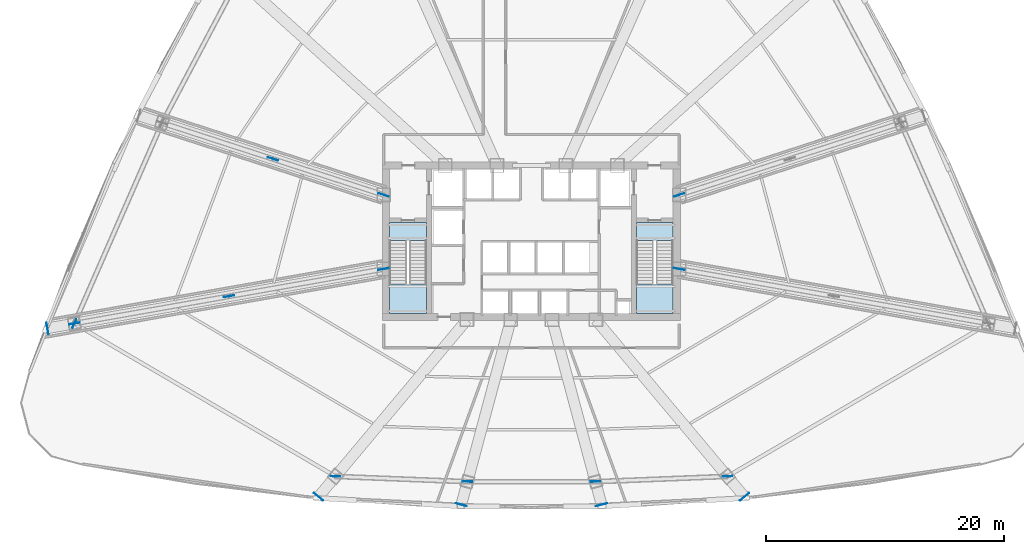
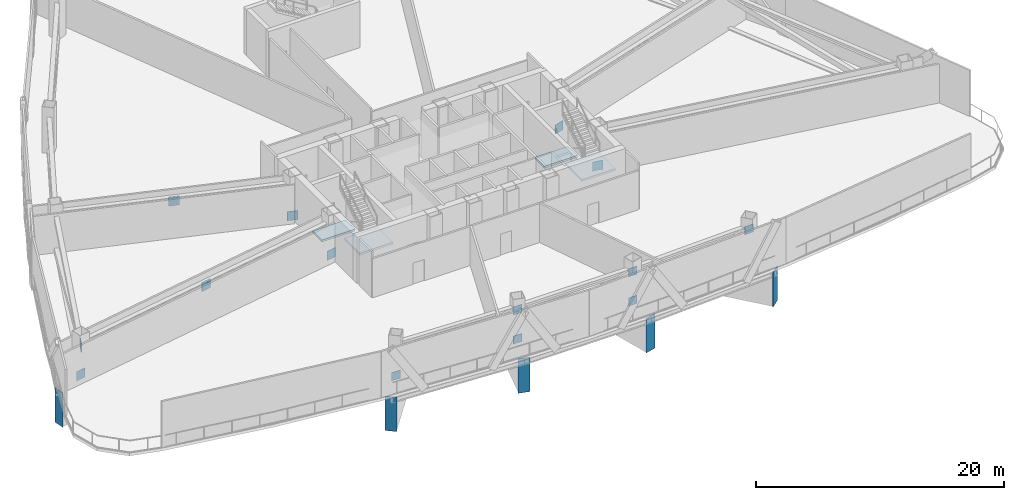
# One storey, part 4 of 17: 19 plates, 4 slabs, 2 elements without a shape of their own.
"""IFC4 building model written with IfcOpenShell, lengths in metres."""

from ifc_helpers import new_model, si_unit, direction, frame, origin, origin_2d, place, context, subcontext, project, spatial, polyline, rectangle, outline, extrude, source, transform, mapped, material, layer, layer_set, type_object, element, aggregate, save


model = new_model("IFC4")

# Units and contexts
model_context = context("Model", 3, precision=1e-05, world=origin(), true_north=direction((0.0, 1.0)))
body_context = subcontext(model_context, "Body", "Model", "MODEL_VIEW")
ifc_project = project(units=[si_unit("LENGTHUNIT", "METRE"), si_unit("AREAUNIT", "SQUARE_METRE"), si_unit("VOLUMEUNIT", "CUBIC_METRE"), si_unit("PLANEANGLEUNIT", "RADIAN"), si_unit("MASSUNIT", "GRAM", prefix="KILO"), si_unit("THERMODYNAMICTEMPERATUREUNIT", "KELVIN"), si_unit("POWERUNIT", "WATT")], contexts=[model_context])

# Site, building, storey
site_placement = place(None, origin())
site = spatial("IfcSite", under=ifc_project, at=site_placement, CompositionType="ELEMENT")
building_placement = place(site_placement, origin())
building = spatial("IfcBuilding", under=site, at=building_placement, Name="Yunzhuo Pagoda Commons", CompositionType="ELEMENT")
storey_placement = place(building_placement, frame((0.0, 0.0, 76.3798828125)))
storey = spatial("IfcBuildingStorey", under=building, at=storey_placement, Name="L19", CompositionType="ELEMENT", Elevation=76.3798828125)

# Stair, slabs
ifc_material_1 = material(Name="Concrete C40", Category="concrete")
stair_type_1 = type_object("IfcStairType", Name="ST-C1 Core Smokeproof Stair ST1", PredefinedType="HALF_TURN_STAIR", material=ifc_material_1)
stair_1_placement = place(storey_placement, origin())
stair_1 = element("IfcStair", 1, at=stair_1_placement, inside=storey, type_object=stair_type_1, Name="L19 Core smokeproof stair ST1", PredefinedType="HALF_TURN_STAIR")
ifc_layer_1 = layer(ifc_material_1, 0.199951171875)
ifc_layer_set_1 = layer_set([ifc_layer_1], Name="Concrete C40")
slab_type_1 = type_object("IfcSlabType", Name="SL-LND1 Stair Landing Slab 200", PredefinedType="LANDING", material=ifc_layer_set_1)
slab_1_placement = place(storey_placement, frame((0.0, 0.0, 2.2001953125)))
slab_1 = element("IfcSlab", 2, at=slab_1_placement, type_object=slab_type_1, Name="ST1 landing 1", PredefinedType="LANDING", context=body_context, shape_type="SweptSolid", body=[
    extrude(outline(polyline([(36.10009765625, 30.260009765625), (36.10009765625, 27.800048828125), (39.199951171875, 27.800048828125), (39.199951171875, 30.260009765625), (36.10009765625, 30.260009765625)])), origin(), (0.0, 0.0, 1.0), 0.199951171875),
])
slab_2_placement = place(storey_placement, frame((0.0, 0.0, -0.199951171875)))
slab_2 = element("IfcSlab", 3, at=slab_2_placement, type_object=slab_type_1, Name="ST1 floor landing L19", PredefinedType="LANDING", context=body_context, shape_type="SweptSolid", body=[
    extrude(outline(polyline([(36.10009765625, 35.39990234375), (36.10009765625, 33.89990234375), (39.199951171875, 33.89990234375), (39.199951171875, 35.39990234375), (36.10009765625, 35.39990234375)])), origin(), (0.0, 0.0, 1.0), 0.199951171875),
])
aggregate(stair_1, [slab_1, slab_2])

stair_type_2 = type_object("IfcStairType", Name="ST-C2 Core Smokeproof Stair ST2", PredefinedType="HALF_TURN_STAIR", material=ifc_material_1)
stair_2_placement = place(storey_placement, origin())
stair_2 = element("IfcStair", 4, at=stair_2_placement, inside=storey, type_object=stair_type_2, Name="L19 Core smokeproof stair ST2", PredefinedType="HALF_TURN_STAIR")
ifc_layer_2 = layer(ifc_material_1, 0.201904296875)
ifc_layer_set_2 = layer_set([ifc_layer_2], Name="Concrete C40")
slab_type_2 = type_object("IfcSlabType", Name="SL-LND2 Stair Landing Slab 202", PredefinedType="LANDING", material=ifc_layer_set_2)
slab_3_placement = place(storey_placement, frame((0.0, 0.0, 2.2001953125)))
slab_3 = element("IfcSlab", 5, at=slab_3_placement, type_object=slab_type_2, Name="ST2 landing 1", PredefinedType="LANDING", context=body_context, shape_type="SweptSolid", body=[
    extrude(outline(polyline([(56.800048828125, 30.260009765625), (56.800048828125, 27.800048828125), (59.89990234375, 27.800048828125), (59.89990234375, 30.260009765625), (56.800048828125, 30.260009765625)])), origin(), (0.0, 0.0, 1.0), 0.199951171875),
])
slab_4_placement = place(storey_placement, frame((0.0, 0.0, -0.199951171875)))
slab_4 = element("IfcSlab", 6, at=slab_4_placement, type_object=slab_type_2, Name="ST2 floor landing L19", PredefinedType="LANDING", context=body_context, shape_type="SweptSolid", body=[
    extrude(outline(polyline([(56.800048828125, 35.39990234375), (56.800048828125, 33.89990234375), (59.89990234375, 33.89990234375), (59.89990234375, 35.39990234375), (56.800048828125, 35.39990234375)])), origin(), (0.0, 0.0, 1.0), 0.199951171875),
])
aggregate(stair_2, [slab_3, slab_4])

# Plates
ifc_material_2 = material(Name="Structural steel Q420B", Category="steel")
ifc_layer_3 = layer(ifc_material_2, 0.0400390625)
ifc_layer_set_3 = layer_set([ifc_layer_3], Name="Structural steel Q420B")
plate_type_1 = type_object("IfcPlateType", Name="EP-TR2 Transfer Girder End Cap Plate 980x3540x40", PredefinedType="USERDEFINED", material=ifc_layer_set_3)
shared_shape_1 = source(origin(), body_context, "Body", "SweptSolid", [
    extrude(rectangle(XDim=0.97998046875, YDim=0.0400390625, at=origin_2d()), origin(), (0.0, 0.0, 1.0), 3.389892578125),
])
for number, where, z_axis, x_axis, name in (
    (7, (30.1259765625, 12.3984375, -3.64990234375), (0.0, 0.0, 1.0), (0.766044443119, -0.642787609687, 0.0), "L19 transfer girder end cap plate F1C1"),
    (8, (42.114013671875, 11.7333984375, -3.64990234375), (0.0, 0.0, 1.0), (0.965925826289, -0.258819045103, 0.0), "L19 transfer girder end cap plate F1C2"),
    (9, (53.885986328125, 11.7333984375, -3.64990234375), (0.0, 0.0, 1.0), (0.965925826289, 0.258819045103, 0.0), "L19 transfer girder end cap plate F1C3"),
    (10, (65.8740234375, 12.3984375, -3.64990234375), (0.0, 0.0, 1.0), (0.766044443119, 0.642787609687, 0.0), "L19 transfer girder end cap plate F1C4"),
    (11, (7.39208984375, 26.539794921875, -3.64990234375), (0.0, 0.0, 1.0), (0.173648177667, -0.984807753012, 0.0), "L19 transfer girder end cap plate F3C4"),
):
    element("IfcPlate", number, at=place(storey_placement, frame(where, z_axis=z_axis, x_axis=x_axis)), inside=storey, type_object=plate_type_1, Name=name, ObjectType="END_PLATE", PredefinedType="USERDEFINED", context=body_context, shape_type="MappedRepresentation", body=[
        mapped(shared_shape_1, transform((0.0, 0.0, 0.0), scale=1.0)),
    ])
ifc_layer_4 = layer(ifc_material_2, 0.0400390625)
ifc_layer_set_4 = layer_set([ifc_layer_4], Name="Structural steel Q420B")
plate_type_2 = type_object("IfcPlateType", Name="GP-OT1 Outrigger Gusset Plate 900x500x900", PredefinedType="USERDEFINED", material=ifc_layer_set_4)
shared_shape_2 = source(origin(), body_context, "Body", "SweptSolid", [
    extrude(rectangle(XDim=0.89990234375, YDim=0.0400390625, at=origin_2d()), origin(), (0.0, 0.0, 1.0), 0.89990234375),
])
for number, where, z_axis, x_axis, name in (
    (12, (60.39990234375, 31.513427734375, -0.179931640625), (0.0, 0.0, 1.0), (0.984807753012, -0.173648177667, 0.0), "L19 outrigger core gusset plate F2C1"),
    (13, (60.39990234375, 37.72900390625, -0.179931640625), (0.0, 0.0, 1.0), (0.951056516295, 0.309016994375, 0.0), "L19 outrigger core gusset plate F2C2"),
    (14, (26.3046875, 40.749267578125, 2.690185546875), (0.0, 0.0, 1.0), (-0.951056516295, 0.309016994375, 0.0), "L19 outrigger apex gusset plate F3C3"),
    (15, (35.60009765625, 37.72900390625, -0.179931640625), (0.0, 0.0, 1.0), (-0.951056516295, 0.309016994375, 0.0), "L19 outrigger core gusset plate F3C3"),
    (16, (22.623779296875, 29.2255859375, 2.690185546875), (0.0, 0.0, 1.0), (-0.984807753012, -0.173648177667, 0.0), "L19 outrigger apex gusset plate F3C4"),
    (17, (35.60009765625, 31.513427734375, -0.179931640625), (0.0, 0.0, 1.0), (-0.984807753012, -0.173648177667, 0.0), "L19 outrigger core gusset plate F3C4"),
    (18, (9.647216796875, 26.9375, -0.179931640625), (0.0, 0.0, 1.0), (-0.984807753012, -0.173648177667, 0.0), "L19 outrigger column gusset plate F3C4"),
):
    element("IfcPlate", number, at=place(storey_placement, frame(where, z_axis=z_axis, x_axis=x_axis)), inside=storey, type_object=plate_type_2, Name=name, ObjectType="GUSSET_PLATE", PredefinedType="USERDEFINED", context=body_context, shape_type="MappedRepresentation", body=[
        mapped(shared_shape_2, transform((0.0, 0.0, 0.0), scale=1.0)),
    ])
ifc_material_3 = material(Name="Structural steel Q355B", Category="steel")
ifc_layer_5 = layer(ifc_material_3, 0.028076171875)
ifc_layer_set_5 = layer_set([ifc_layer_5], Name="Structural steel Q355B")
plate_type_3 = type_object("IfcPlateType", Name="SP-ND1 Lattice Node Cap Plate 800x500x28", PredefinedType="USERDEFINED", material=ifc_layer_set_5)
shared_shape_3 = source(origin(), body_context, "Body", "SweptSolid", [
    extrude(rectangle(XDim=0.800048828125, YDim=0.0400390625, at=origin_2d()), origin(), (0.0, 0.0, 1.0), 0.800048828125),
])
for number, where, z_axis, x_axis, name in (
    (19, (31.56396484375, 14.1123046875, -0.1298828125), (0.0, 0.0, 1.0), (0.999197194407, -0.040062035507, 0.0), "L19 belt truss lower gusset plate 1"),
    (20, (42.632568359375, 13.66845703125, 2.740234375), (0.0, 0.0, 1.0), (0.999197194407, -0.040062035507, 0.0), "L19 belt truss upper gusset plate 1"),
    (21, (42.632568359375, 13.66845703125, -0.1298828125), (0.0, 0.0, 1.0), (1.0, 0.0, 0.0), "L19 belt truss lower gusset plate 2"),
    (22, (53.367431640625, 13.66845703125, 2.740234375), (0.0, 0.0, 1.0), (1.0, 0.0, 0.0), "L19 belt truss upper gusset plate 2"),
    (23, (53.367431640625, 13.66845703125, -0.1298828125), (0.0, 0.0, 1.0), (0.999197194407, 0.040062035507, 0.0), "L19 belt truss lower gusset plate 3"),
    (24, (64.43603515625, 14.1123046875, 2.740234375), (0.0, 0.0, 1.0), (0.999197194407, 0.040062035507, 0.0), "L19 belt truss upper gusset plate 3"),
    (25, (9.647216796875, 26.9375, 2.740234375), (0.0, 0.0, 1.0), (-0.400716851866, -0.916201945332, 0.0), "L19 belt truss upper gusset plate 11"),
):
    element("IfcPlate", number, at=place(storey_placement, frame(where, z_axis=z_axis, x_axis=x_axis)), inside=storey, type_object=plate_type_3, Name=name, ObjectType="STIFFENER_PLATE", PredefinedType="USERDEFINED", context=body_context, shape_type="MappedRepresentation", body=[
        mapped(shared_shape_3, transform((0.0, 0.0, 0.0), scale=1.0)),
    ])

save(model, "model.ifc")
